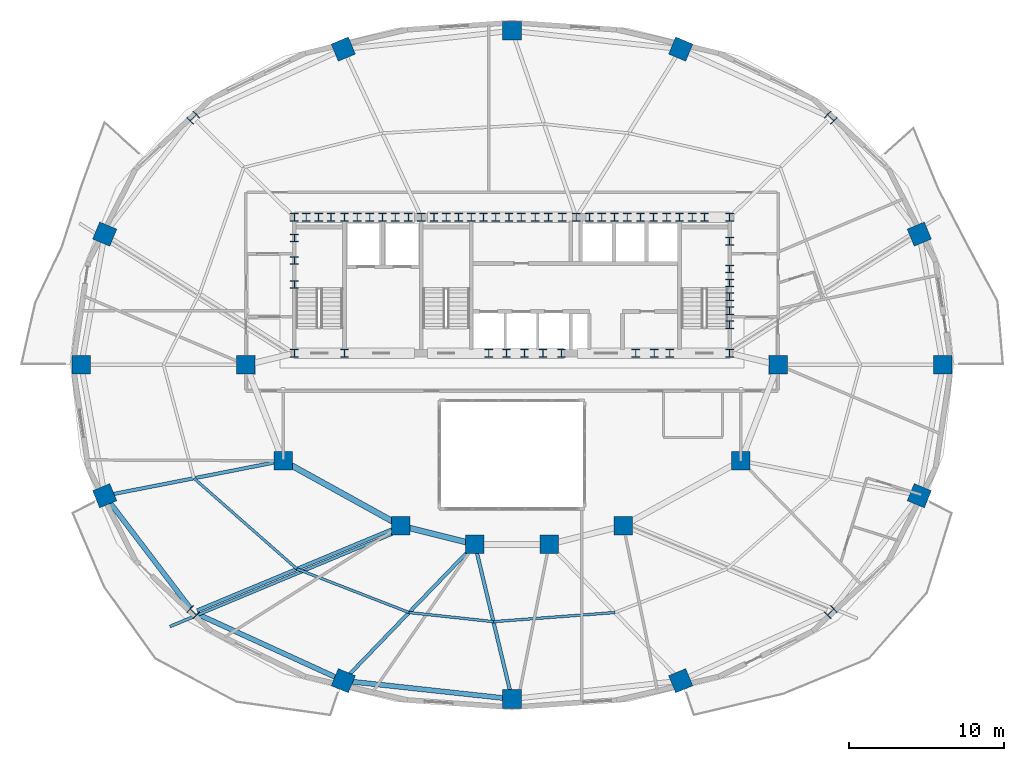
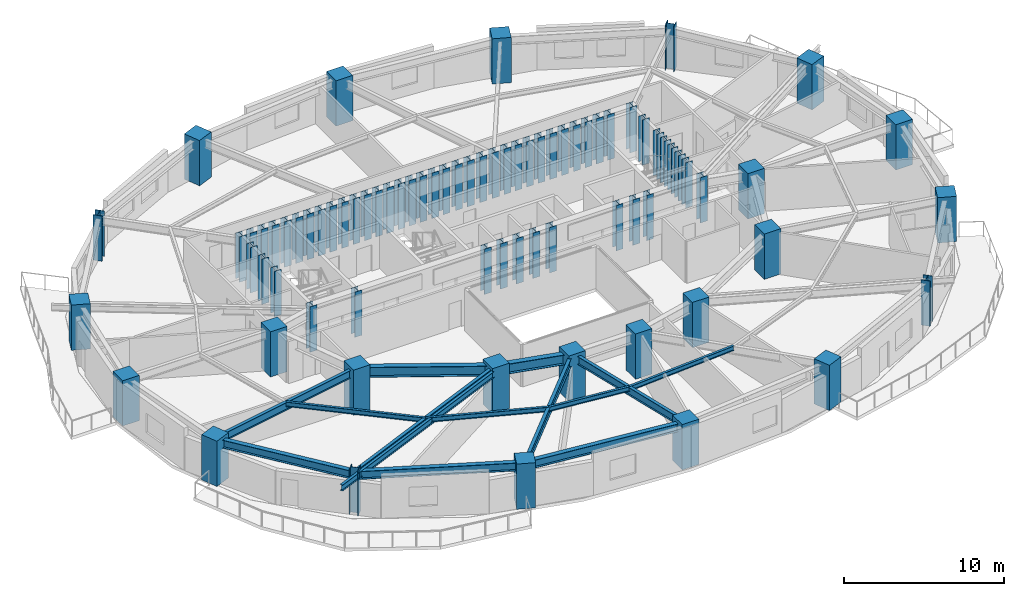
# One storey, part 1 of 12: 78 columns, 14 beams.
"""IFC4 building model written with IfcOpenShell, lengths in metres."""

import ifcopenshell
import ifcopenshell.guid

model = None  # the IFC model being written
_history = None  # IfcOwnerHistory: only IFC2X3 demands one
_inside = {}  # id of a spatial element -> (the spatial element, [elements in it])
_under = {}  # id of a project, library or spatial element -> (it, [spatial elements below it])
_declared = {}  # id of a project -> (the project, [libraries it declares])
_typed = {}  # id of a type object -> (the type object, [elements of that type])
_made_of = {}  # id of a material, layer set ... -> (it, [elements and type objects made of it])


def new_model(schema):
    """Start an empty IFC model of exactly this schema.

    Asked for "IFC4X3", IfcOpenShell would pick the latest addendum, in which some entities
    have other attributes; the version numbers below select the first issue.
    IFC2X3 requires an IfcOwnerHistory on every rooted entity: one is made here for all.
    """
    global model, _history
    if schema == "IFC4X3":
        model = ifcopenshell.file(schema_version=(4, 3, 0, 0))
    else:
        model = ifcopenshell.file(schema=schema)
    _inside.clear()
    _under.clear()
    _declared.clear()
    _typed.clear()
    _made_of.clear()
    _history = None
    if model.schema == "IFC2X3":
        org = make("IfcOrganization", Name="unknown")
        user = make(
            "IfcPersonAndOrganization",
            ThePerson=make("IfcPerson", FamilyName="unknown"),
            TheOrganization=org,
        )
        app = make(
            "IfcApplication",
            ApplicationDeveloper=org,
            Version="unknown",
            ApplicationFullName="unknown",
            ApplicationIdentifier="unknown",
        )
        _history = make(
            "IfcOwnerHistory",
            OwningUser=user,
            OwningApplication=app,
            ChangeAction="ADDED",
            CreationDate=0,
        )
    return model


def make(cls, **values):
    """One entity of the class cls with the attributes given. An attribute that is None is left unset."""
    return model.create_entity(
        cls, **{name: value for name, value in values.items() if value is not None}
    )


def rooted(cls, **values):
    """An entity with a GlobalId (a new one), such as an element, a storey or a relation."""
    return make(cls, GlobalId=ifcopenshell.guid.new(), OwnerHistory=_history, **values)


def si_unit(unit_type, name, prefix=None):
    """IfcSIUnit, for example si_unit("LENGTHUNIT", "METRE", prefix="MILLI")."""
    return make("IfcSIUnit", UnitType=unit_type, Prefix=prefix, Name=name)


def assignment(units):
    """IfcUnitAssignment: the units of a project."""
    return None if units is None else make("IfcUnitAssignment", Units=units)


def point(xyz):
    """IfcCartesianPoint."""
    return None if xyz is None else make("IfcCartesianPoint", Coordinates=xyz)


def direction(xyz):
    """IfcDirection."""
    return None if xyz is None else make("IfcDirection", DirectionRatios=xyz)


def frame(location, z_axis=None, x_axis=None):
    """IfcAxis2Placement3D, a coordinate frame: its origin and axes. An axis left out is left unset."""
    return make(
        "IfcAxis2Placement3D",
        Location=point(location),
        Axis=direction(z_axis),
        RefDirection=direction(x_axis),
    )


def frame_2d(location, x_axis=None):
    """IfcAxis2Placement2D, a coordinate frame in the plane: its origin and x axis."""
    return make(
        "IfcAxis2Placement2D", Location=point(location), RefDirection=direction(x_axis)
    )


def origin():
    """The frame at (0, 0, 0) with its axes left unset."""
    return frame((0.0, 0.0, 0.0))


def origin_2d():
    """The frame at (0, 0) in the plane with its x axis left unset."""
    return frame_2d((0.0, 0.0))


def place(relative_to, where):
    """IfcLocalPlacement: puts the frame where relative to a parent placement (None: the world)."""
    return make(
        "IfcLocalPlacement", PlacementRelTo=relative_to, RelativePlacement=where
    )


def context(
    kind, dimensions, precision=None, world=None, true_north=None, identifier=None
):
    """IfcGeometricRepresentationContext, for example the 3D "Model" context."""
    return make(
        "IfcGeometricRepresentationContext",
        ContextIdentifier=identifier,
        ContextType=kind,
        CoordinateSpaceDimension=dimensions,
        Precision=precision,
        WorldCoordinateSystem=world,
        TrueNorth=true_north,
    )


def subcontext(parent, identifier, kind, view, scale=None):
    """IfcGeometricRepresentationSubContext, for example "Body" below "Model"."""
    return make(
        "IfcGeometricRepresentationSubContext",
        ContextIdentifier=identifier,
        ContextType=kind,
        ParentContext=parent,
        TargetScale=scale,
        TargetView=view,
    )


def project(units=None, contexts=None):
    """IfcProject with its units and contexts."""
    return rooted(
        "IfcProject",
        Name="project",
        RepresentationContexts=contexts,
        UnitsInContext=assignment(units),
    )


def spatial(cls, under=None, at=None, **own):
    """A site, building, storey or space (cls), placed at a placement, below another one or the project."""
    s = rooted(cls, ObjectPlacement=at, **own)
    if under is not None:
        _under.setdefault(under.id(), (under, []))[1].append(s)
    return s


def profile(cls, at=None, kind="AREA", **sizes):
    """A parametric profile (cls). Its sizes go by their IFC names, for example OverallWidth=200.0."""
    return make(cls, ProfileType=kind, Position=at, **sizes)


def rectangle(**sizes):
    """IfcRectangleProfileDef."""
    return profile("IfcRectangleProfileDef", **sizes)


def i_section(**sizes):
    """IfcIShapeProfileDef."""
    return profile("IfcIShapeProfileDef", **sizes)


def extrude(swept, where, along, depth):
    """IfcExtrudedAreaSolid: the profile swept, set in the frame where, extruded along a direction by depth."""
    return make(
        "IfcExtrudedAreaSolid",
        SweptArea=swept,
        Position=where,
        ExtrudedDirection=direction(along),
        Depth=depth,
    )


def shape(context_of_items, identifier, shape_type, items):
    """IfcShapeRepresentation: the items that make up one representation, for example the "Body"."""
    return make(
        "IfcShapeRepresentation",
        ContextOfItems=context_of_items,
        RepresentationIdentifier=identifier,
        RepresentationType=shape_type,
        Items=items,
    )


def material(Name=None, Category=None):
    """IfcMaterial."""
    return make("IfcMaterial", Name=Name, Category=Category)


def material_profile(
    of_material, cross_section, Name=None, Category=None, Priority=None
):
    """IfcMaterialProfile: a cross section and its material."""
    return make(
        "IfcMaterialProfile",
        Name=Name,
        Material=of_material,
        Profile=cross_section,
        Priority=Priority,
        Category=Category,
    )


def profile_set(profiles, Name=None, composite=None):
    """IfcMaterialProfileSet."""
    return make(
        "IfcMaterialProfileSet",
        Name=Name,
        MaterialProfiles=profiles,
        CompositeProfile=composite,
    )


def made_of(thing, what):
    """Note that an element or type object is made of a material, layer set ...; save() writes the relation."""
    if what is not None:
        _made_of.setdefault(what.id(), (what, []))[1].append(thing)
    return thing


def type_object(cls, material=None, **own):
    """A type object (cls), such as IfcWallType, which elements share."""
    return made_of(rooted(cls, **own), material)


def element(
    cls,
    number,
    at=None,
    inside=None,
    cuts=None,
    type_object=None,
    material=None,
    context=None,
    identifier="Body",
    shape_type=None,
    held_by="IfcProductDefinitionShape",
    body=None,
    shapes=None,
    **own,
):
    """One element of the class cls, such as IfcWall. Its Tag is "e" and its number.

    at: its placement. inside: the storey or other place that contains it. cuts: it is an
    opening in that element (IfcRelVoidsElement). A single representation is given by context,
    identifier, shape_type and body (its items); several are given by shapes. held_by: the class
    of the entity that holds the representations. save() writes the other relations.
    """
    e = rooted(cls, Tag="e%d" % number, ObjectPlacement=at, **own)
    if body is not None:
        shapes = [shape(context, identifier, shape_type, body)]
    if shapes is not None:
        e.Representation = make(held_by, Representations=shapes)
    if inside is not None:
        _inside.setdefault(inside.id(), (inside, []))[1].append(e)
    if cuts is not None:
        rooted(
            "IfcRelVoidsElement", RelatingBuildingElement=cuts, RelatedOpeningElement=e
        )
    if type_object is not None:
        _typed.setdefault(type_object.id(), (type_object, []))[1].append(e)
    return made_of(e, material)


def aggregate(whole, parts):
    """IfcRelAggregates: a whole, such as a stair, and the parts it consists of."""
    return rooted("IfcRelAggregates", RelatingObject=whole, RelatedObjects=parts)


def save(model, path):
    """Write the relations noted so far, then the file.

    IfcRelAggregates (storeys below a building ...), IfcRelContainedInSpatialStructure (elements
    in a storey), IfcRelDefinesByType, IfcRelAssociatesMaterial and IfcRelDeclares: one each for
    every whole, place, type object, material and project.
    """
    for whole, parts in _under.values():
        aggregate(whole, parts)
    for where, things in _inside.values():
        rooted(
            "IfcRelContainedInSpatialStructure",
            RelatedElements=things,
            RelatingStructure=where,
        )
    for kind, things in _typed.values():
        rooted("IfcRelDefinesByType", RelatedObjects=things, RelatingType=kind)
    for what, things in _made_of.values():
        rooted("IfcRelAssociatesMaterial", RelatedObjects=things, RelatingMaterial=what)
    for by, libraries in _declared.values():
        rooted("IfcRelDeclares", RelatingContext=by, RelatedDefinitions=libraries)
    model.write(path)


model = new_model("IFC4")

# Units and contexts
model_context = context("Model", 3, precision=1e-05, world=origin(), true_north=direction((0.0, 1.0)))
body_context = subcontext(model_context, "Body", "Model", "MODEL_VIEW")
ifc_project = project(units=[si_unit("LENGTHUNIT", "METRE"), si_unit("AREAUNIT", "SQUARE_METRE"), si_unit("VOLUMEUNIT", "CUBIC_METRE"), si_unit("PLANEANGLEUNIT", "RADIAN"), si_unit("MASSUNIT", "GRAM", prefix="KILO")], contexts=[model_context])

# Site, building, storey
site_placement = place(None, origin())
site = spatial("IfcSite", under=ifc_project, at=site_placement, CompositionType="ELEMENT")
building_placement = place(site_placement, origin())
building = spatial("IfcBuilding", under=site, at=building_placement, Name="Haldorwick Loom Tower", CompositionType="ELEMENT")
storey_placement = place(building_placement, frame((0.0, 0.0, 117.35009765625)))
storey = spatial("IfcBuildingStorey", under=building, at=storey_placement, Name="L31", CompositionType="ELEMENT", Elevation=117.35009765625)

# Columns
ifc_material_1 = material(Name="Concrete C60 (60 MPa)", Category="concrete")
ifc_material_profile_1 = material_profile(ifc_material_1, rectangle(XDim=1.199951171875, YDim=1.199951171875, at=origin_2d()), Name="RC1200X1200", Category="concrete")
ifc_profile_set_1 = profile_set([ifc_material_profile_1], Name="Concrete C60 (60 MPa)")
column_type_1 = type_object("IfcColumnType", Name="STR-COL-RC1200", PredefinedType="COLUMN", material=ifc_profile_set_1)
for number, where, z_axis, x_axis, name in (
    (1, (53.199951171875, 26.0, 0.0), (0.0, 0.0, 1.0), (1.0, 0.0, 0.0), "L31 Inner Column IC-01"),
    (2, (50.800048828125, 19.800048828125, 0.0), (0.0, 0.0, 1.0), (1.0, 0.0, 0.0), "L31 Inner Column IC-02"),
    (3, (43.199951171875, 15.60009765625, 0.0), (0.0, 0.0, 1.0), (1.0, 0.0, 0.0), "L31 Inner Column IC-03"),
    (4, (38.39990234375, 14.39990234375, 0.0), (0.0, 0.0, 1.0), (1.0, 0.0, 0.0), "L31 Inner Column IC-04"),
    (5, (33.60009765625, 14.39990234375, 0.0), (0.0, 0.0, 1.0), (1.0, 0.0, 0.0), "L31 Inner Column IC-05"),
    (6, (28.800048828125, 15.60009765625, 0.0), (0.0, 0.0, 1.0), (1.0, 0.0, 0.0), "L31 Inner Column IC-06"),
    (7, (21.199951171875, 19.800048828125, 0.0), (0.0, 0.0, 1.0), (1.0, 0.0, 0.0), "L31 Inner Column IC-07"),
    (8, (18.800048828125, 26.0, 0.0), (0.0, 0.0, 1.0), (1.0, 0.0, 0.0), "L31 Inner Column IC-08"),
    (9, (63.857666015625, 26.0, 0.0), (0.0, 0.0, 1.0), (1.0, 0.0, 0.0), "L31 Perimeter Pier Column P01"),
    (10, (62.33056640625, 34.457275390625, 0.0), (0.0, 0.0, 1.0), (0.923879532511, 0.382683432365, 0.0), "L31 Perimeter Pier Column P02"),
    (11, (46.906494140625, 46.417724609375, 0.0), (0.0, 0.0, 1.0), (0.382683432365, 0.923879532511, 0.0), "L31 Perimeter Pier Column P04"),
    (12, (36.0, 47.598388671875, 0.0), (0.0, 0.0, 1.0), (0.0, 1.0, 0.0), "L31 Perimeter Pier Column P05"),
    (13, (25.093505859375, 46.417724609375, 0.0), (0.0, 0.0, 1.0), (-0.382683432365, 0.923879532511, 0.0), "L31 Perimeter Pier Column P06"),
    (14, (9.66943359375, 34.457275390625, 0.0), (0.0, 0.0, 1.0), (-0.923879532511, 0.382683432365, 0.0), "L31 Perimeter Pier Column P08"),
    (15, (8.142333984375, 26.0, 0.0), (0.0, 0.0, 1.0), (-1.0, 0.0, 0.0), "L31 Perimeter Pier Column P09"),
    (16, (9.66943359375, 17.542724609375, 0.0), (0.0, 0.0, 1.0), (-0.923879532511, -0.382683432365, 0.0), "L31 Perimeter Pier Column P10"),
    (17, (25.093505859375, 5.582275390625, 0.0), (0.0, 0.0, 1.0), (-0.382683432365, -0.923879532511, 0.0), "L31 Perimeter Pier Column P12"),
    (18, (36.0, 4.401611328125, 0.0), (0.0, 0.0, 1.0), (0.0, -1.0, 0.0), "L31 Perimeter Pier Column P13"),
    (19, (46.906494140625, 5.582275390625, 0.0), (0.0, 0.0, 1.0), (0.382683432365, -0.923879532511, 0.0), "L31 Perimeter Pier Column P14"),
    (20, (62.33056640625, 17.542724609375, 0.0), (0.0, 0.0, 1.0), (0.923879532511, -0.382683432365, 0.0), "L31 Perimeter Pier Column P16"),
):
    element("IfcColumn", number, at=place(storey_placement, frame(where, z_axis=z_axis, x_axis=x_axis)), inside=storey, type_object=column_type_1, Name=name, PredefinedType="COLUMN", context=body_context, shape_type="SweptSolid", body=[
        extrude(rectangle(XDim=1.199951171875, YDim=1.199951171875, at=origin_2d()), origin(), (0.0, 0.0, 1.0), 3.449951171875),
    ])
ifc_material_2 = material(Name="Steel CSA G40.21 350WT", Category="steel")
ifc_material_profile_2 = material_profile(ifc_material_2, i_section(OverallWidth=0.5, OverallDepth=0.5, WebThickness=0.02197265625, FlangeThickness=0.031982421875, at=origin_2d()), Name="WWF500X500", Category="steel")
ifc_profile_set_2 = profile_set([ifc_material_profile_2], Name="Steel CSA G40.21 350WT")
column_type_2 = type_object("IfcColumnType", Name="STR-COL-WWF500", PredefinedType="COLUMN", material=ifc_profile_set_2)
for number, where, z_axis, x_axis, name in (
    (21, (21.929931640625, 35.550048828125, 0.0), (0.0, 0.0, 1.0), (1.0, 0.0, 0.0), "L31 Core Pilaster CB-01"),
    (22, (23.5, 35.550048828125, 0.0), (0.0, 0.0, 1.0), (1.0, 0.0, 0.0), "L31 Core Pilaster CB-02"),
    (23, (25.169921875, 35.550048828125, 0.0), (0.0, 0.0, 1.0), (1.0, 0.0, 0.0), "L31 Core Pilaster CB-03"),
    (24, (26.800048828125, 35.550048828125, 0.0), (0.0, 0.0, 1.0), (1.0, 0.0, 0.0), "L31 Core Pilaster CB-04"),
    (25, (28.449951171875, 35.550048828125, 0.0), (0.0, 0.0, 1.0), (1.0, 0.0, 0.0), "L31 Core Pilaster CB-05"),
    (26, (30.1298828125, 35.550048828125, 0.0), (0.0, 0.0, 1.0), (1.0, 0.0, 0.0), "L31 Core Pilaster CB-06"),
    (27, (31.75, 35.550048828125, 0.0), (0.0, 0.0, 1.0), (1.0, 0.0, 0.0), "L31 Core Pilaster CB-07"),
    (28, (33.3701171875, 35.550048828125, 0.0), (0.0, 0.0, 1.0), (1.0, 0.0, 0.0), "L31 Core Pilaster CB-08"),
    (29, (34.949951171875, 35.550048828125, 0.0), (0.0, 0.0, 1.0), (1.0, 0.0, 0.0), "L31 Core Pilaster CB-09"),
    (30, (36.60009765625, 35.550048828125, 0.0), (0.0, 0.0, 1.0), (1.0, 0.0, 0.0), "L31 Core Pilaster CB-10"),
    (31, (38.35009765625, 35.550048828125, 0.0), (0.0, 0.0, 1.0), (1.0, 0.0, 0.0), "L31 Core Pilaster CB-11"),
    (32, (40.14990234375, 35.550048828125, 0.0), (0.0, 0.0, 1.0), (1.0, 0.0, 0.0), "L31 Core Pilaster CB-12"),
    (33, (41.800048828125, 35.550048828125, 0.0), (0.0, 0.0, 1.0), (1.0, 0.0, 0.0), "L31 Core Pilaster CB-13"),
    (34, (43.449951171875, 35.550048828125, 0.0), (0.0, 0.0, 1.0), (1.0, 0.0, 0.0), "L31 Core Pilaster CB-14"),
    (35, (45.14990234375, 35.550048828125, 0.0), (0.0, 0.0, 1.0), (1.0, 0.0, 0.0), "L31 Core Pilaster CB-15"),
    (36, (46.830078125, 35.550048828125, 0.0), (0.0, 0.0, 1.0), (1.0, 0.0, 0.0), "L31 Core Pilaster CB-16"),
    (37, (48.449951171875, 35.550048828125, 0.0), (0.0, 0.0, 1.0), (1.0, 0.0, 0.0), "L31 Core Pilaster CB-17"),
    (38, (50.070068359375, 35.550048828125, 0.0), (0.0, 0.0, 1.0), (1.0, 0.0, 0.0), "L31 Core Pilaster CB-18"),
    (39, (21.929931640625, 26.75, 0.0), (0.0, 0.0, 1.0), (1.0, 0.0, 0.0), "L31 Core Pilaster CB-19"),
    (40, (25.169921875, 26.75, 0.0), (0.0, 0.0, 1.0), (1.0, 0.0, 0.0), "L31 Core Pilaster CB-20"),
    (41, (34.5, 26.75, 0.0), (0.0, 0.0, 1.0), (1.0, 0.0, 0.0), "L31 Core Pilaster CB-21"),
    (42, (36.800048828125, 26.75, 0.0), (0.0, 0.0, 1.0), (1.0, 0.0, 0.0), "L31 Core Pilaster CB-22"),
    (43, (39.199951171875, 26.75, 0.0), (0.0, 0.0, 1.0), (1.0, 0.0, 0.0), "L31 Core Pilaster CB-23"),
    (44, (45.199951171875, 26.75, 0.0), (0.0, 0.0, 1.0), (1.0, 0.0, 0.0), "L31 Core Pilaster CB-24"),
    (45, (50.070068359375, 26.75, 0.0), (0.0, 0.0, 1.0), (1.0, 0.0, 0.0), "L31 Core Pilaster CB-25"),
    (46, (21.929931640625, 31.199951171875, 0.0), (0.0, 0.0, 1.0), (1.0, 0.0, 0.0), "L31 Core Pilaster CB-26"),
    (47, (21.929931640625, 32.75, 0.0), (0.0, 0.0, 1.0), (1.0, 0.0, 0.0), "L31 Core Pilaster CB-27"),
    (48, (21.929931640625, 34.199951171875, 0.0), (0.0, 0.0, 1.0), (1.0, 0.0, 0.0), "L31 Core Pilaster CB-28"),
    (49, (50.070068359375, 28.60009765625, 0.0), (0.0, 0.0, 1.0), (1.0, 0.0, 0.0), "L31 Core Pilaster CB-29"),
    (50, (50.070068359375, 30.39990234375, 0.0), (0.0, 0.0, 1.0), (1.0, 0.0, 0.0), "L31 Core Pilaster CB-30"),
    (51, (50.070068359375, 32.199951171875, 0.0), (0.0, 0.0, 1.0), (1.0, 0.0, 0.0), "L31 Core Pilaster CB-31"),
    (52, (50.070068359375, 34.0, 0.0), (0.0, 0.0, 1.0), (1.0, 0.0, 0.0), "L31 Core Pilaster CB-32"),
    (53, (22.699951171875, 35.550048828125, 0.0), (0.0, 0.0, 1.0), (1.0, 0.0, 0.0), "L31 Core Pilaster CB-33"),
    (54, (27.6201171875, 35.550048828125, 0.0), (0.0, 0.0, 1.0), (1.0, 0.0, 0.0), "L31 Core Pilaster CB-34"),
    (55, (32.550048828125, 35.550048828125, 0.0), (0.0, 0.0, 1.0), (1.0, 0.0, 0.0), "L31 Core Pilaster CB-35"),
    (56, (37.5, 35.550048828125, 0.0), (0.0, 0.0, 1.0), (1.0, 0.0, 0.0), "L31 Core Pilaster CB-36"),
    (57, (42.6201171875, 35.550048828125, 0.0), (0.0, 0.0, 1.0), (1.0, 0.0, 0.0), "L31 Core Pilaster CB-37"),
    (58, (47.64990234375, 35.550048828125, 0.0), (0.0, 0.0, 1.0), (1.0, 0.0, 0.0), "L31 Core Pilaster CB-38"),
    (59, (24.300048828125, 35.550048828125, 0.0), (0.0, 0.0, 1.0), (1.0, 0.0, 0.0), "L31 Core Pilaster CB-39"),
    (60, (26.0, 35.550048828125, 0.0), (0.0, 0.0, 1.0), (1.0, 0.0, 0.0), "L31 Core Pilaster CB-40"),
    (61, (29.300048828125, 35.550048828125, 0.0), (0.0, 0.0, 1.0), (1.0, 0.0, 0.0), "L31 Core Pilaster CB-41"),
    (62, (30.949951171875, 35.550048828125, 0.0), (0.0, 0.0, 1.0), (1.0, 0.0, 0.0), "L31 Core Pilaster CB-42"),
    (63, (34.14990234375, 35.550048828125, 0.0), (0.0, 0.0, 1.0), (1.0, 0.0, 0.0), "L31 Core Pilaster CB-43"),
    (64, (35.800048828125, 35.550048828125, 0.0), (0.0, 0.0, 1.0), (1.0, 0.0, 0.0), "L31 Core Pilaster CB-44"),
    (65, (39.25, 35.550048828125, 0.0), (0.0, 0.0, 1.0), (1.0, 0.0, 0.0), "L31 Core Pilaster CB-45"),
    (66, (41.0, 35.550048828125, 0.0), (0.0, 0.0, 1.0), (1.0, 0.0, 0.0), "L31 Core Pilaster CB-46"),
    (67, (44.300048828125, 35.550048828125, 0.0), (0.0, 0.0, 1.0), (1.0, 0.0, 0.0), "L31 Core Pilaster CB-47"),
    (68, (46.0, 35.550048828125, 0.0), (0.0, 0.0, 1.0), (1.0, 0.0, 0.0), "L31 Core Pilaster CB-48"),
    (69, (50.070068359375, 29.5, 0.0), (0.0, 0.0, 1.0), (1.0, 0.0, 0.0), "L31 Core Pilaster CB-49"),
    (70, (50.070068359375, 31.300048828125, 0.0), (0.0, 0.0, 1.0), (1.0, 0.0, 0.0), "L31 Core Pilaster CB-50"),
    (71, (35.64990234375, 26.75, 0.0), (0.0, 0.0, 1.0), (1.0, 0.0, 0.0), "L31 Core Pilaster CB-51"),
    (72, (38.0, 26.75, 0.0), (0.0, 0.0, 1.0), (1.0, 0.0, 0.0), "L31 Core Pilaster CB-52"),
    (73, (44.0, 26.75, 0.0), (0.0, 0.0, 1.0), (1.0, 0.0, 0.0), "L31 Core Pilaster CB-53"),
    (74, (46.199951171875, 26.75, 0.0), (0.0, 0.0, 1.0), (1.0, 0.0, 0.0), "L31 Core Pilaster CB-54"),
):
    element("IfcColumn", number, at=place(storey_placement, frame(where, z_axis=z_axis, x_axis=x_axis)), inside=storey, type_object=column_type_2, Name=name, PredefinedType="COLUMN", context=body_context, shape_type="SweptSolid", body=[
        extrude(i_section(OverallWidth=0.5, OverallDepth=0.5, WebThickness=0.02197265625, FlangeThickness=0.031982421875, at=origin_2d()), origin(), (0.0, 0.0, 1.0), 3.449951171875),
    ])
ifc_material_profile_3 = material_profile(ifc_material_2, i_section(OverallWidth=0.60009765625, OverallDepth=0.60009765625, WebThickness=0.02490234375, FlangeThickness=0.035888671875, at=origin_2d()), Name="WWF600X600", Category="steel")
ifc_profile_set_3 = profile_set([ifc_material_profile_3], Name="Steel CSA G40.21 350WT")
column_type_3 = type_object("IfcColumnType", Name="STR-COL-WWF600", PredefinedType="COLUMN", material=ifc_profile_set_3)
for number, where, z_axis, x_axis, name in (
    (75, (56.606689453125, 41.981689453125, 0.0), (0.0, 0.0, 1.0), (0.707106781187, 0.707106781187, 0.0), "L31 Perimeter Pier Column P03"),
    (76, (15.393310546875, 41.981689453125, 0.0), (0.0, 0.0, 1.0), (-0.707106781187, 0.707106781187, 0.0), "L31 Perimeter Pier Column P07"),
    (77, (15.393310546875, 10.018310546875, 0.0), (0.0, 0.0, 1.0), (-0.707106781187, -0.707106781187, 0.0), "L31 Perimeter Pier Column P11"),
    (78, (56.606689453125, 10.018310546875, 0.0), (0.0, 0.0, 1.0), (0.707106781187, -0.707106781187, 0.0), "L31 Perimeter Pier Column P15"),
):
    element("IfcColumn", number, at=place(storey_placement, frame(where, z_axis=z_axis, x_axis=x_axis)), inside=storey, type_object=column_type_3, Name=name, PredefinedType="COLUMN", context=body_context, shape_type="SweptSolid", body=[
        extrude(i_section(OverallWidth=0.60009765625, OverallDepth=0.60009765625, WebThickness=0.02490234375, FlangeThickness=0.035888671875, at=origin_2d()), origin(), (0.0, 0.0, 1.0), 3.449951171875),
    ])

# Beams
ifc_material_3 = material(Name="Steel CSA G40.21 350W", Category="steel")
ifc_material_profile_4 = material_profile(ifc_material_3, i_section(OverallWidth=0.193115234375, OverallDepth=0.466064453125, WebThickness=0.011474609375, FlangeThickness=0.01904296875, at=origin_2d()), Name="W460X97", Category="steel")
ifc_profile_set_4 = profile_set([ifc_material_profile_4], Name="Steel CSA G40.21 350W")
beam_type_1 = type_object("IfcBeamType", Name="STR-BM-BAL460", PredefinedType="BEAM", material=ifc_profile_set_4)
beam_1_placement = place(storey_placement, frame((28.427490234375, 15.1416015625, 2.976806640625), z_axis=(-0.923185561192, -0.38435454935, 0.0), x_axis=(0.38435454935, -0.923185561192, 0.0)))
element("IfcBeam", 79, at=beam_1_placement, inside=storey, type_object=beam_type_1, Name="L31 Continuous Back-Spanned Balcony Beam 2", PredefinedType="BEAM", context=body_context, shape_type="SweptSolid", body=[
    extrude(i_section(OverallWidth=0.193115234375, OverallDepth=0.466064453125, WebThickness=0.011474609375, FlangeThickness=0.01904296875, at=origin_2d()), origin(), (0.0, 0.0, 1.0), 15.752197265625),
])
ifc_material_profile_5 = material_profile(ifc_material_3, i_section(OverallWidth=0.172119140625, OverallDepth=0.35791015625, WebThickness=0.0078125, FlangeThickness=0.01318359375, at=origin_2d()), Name="W360X57", Category="steel")
ifc_profile_set_5 = profile_set([ifc_material_profile_5], Name="Steel CSA G40.21 350W")
beam_type_2 = type_object("IfcBeamType", Name="STR-BM-J360", PredefinedType="JOIST", material=ifc_profile_set_5)
beam_2_placement = place(storey_placement, frame((15.434814453125, 18.67138671875, 3.031005859375), z_axis=(0.750721157729, -0.660619212057, 0.0), x_axis=(0.660619212057, 0.750721157729, 0.0)))
element("IfcBeam", 80, at=beam_2_placement, inside=storey, type_object=beam_type_2, Name="L31 Mid-Bay Secondary Joist 10", PredefinedType="JOIST", context=body_context, shape_type="SweptSolid", body=[
    extrude(i_section(OverallWidth=0.172119140625, OverallDepth=0.35791015625, WebThickness=0.0078125, FlangeThickness=0.01318359375, at=origin_2d()), origin(), (0.0, 0.0, 1.0), 8.8740234375),
])
beam_3_placement = place(storey_placement, frame((22.0966796875, 12.80908203125, 3.031005859375), z_axis=(0.932072983051, -0.362270553959, 0.0), x_axis=(0.362270553959, 0.932072983051, 0.0)))
element("IfcBeam", 81, at=beam_3_placement, inside=storey, type_object=beam_type_2, Name="L31 Mid-Bay Secondary Joist 11", PredefinedType="JOIST", context=body_context, shape_type="SweptSolid", body=[
    extrude(i_section(OverallWidth=0.172119140625, OverallDepth=0.35791015625, WebThickness=0.0078125, FlangeThickness=0.01318359375, at=origin_2d()), origin(), (0.0, 0.0, 1.0), 7.7783203125),
])
beam_4_placement = place(storey_placement, frame((29.3466796875, 9.9912109375, 3.031005859375), z_axis=(0.994191869342, -0.107622148904, 0.0), x_axis=(0.107622148904, 0.994191869342, 0.0)))
element("IfcBeam", 82, at=beam_4_placement, inside=storey, type_object=beam_type_2, Name="L31 Mid-Bay Secondary Joist 12", PredefinedType="JOIST", context=body_context, shape_type="SweptSolid", body=[
    extrude(i_section(OverallWidth=0.172119140625, OverallDepth=0.35791015625, WebThickness=0.0078125, FlangeThickness=0.01318359375, at=origin_2d()), origin(), (0.0, 0.0, 1.0), 5.485107421875),
])
beam_5_placement = place(storey_placement, frame((34.800048828125, 9.40087890625, 3.031005859375), z_axis=(0.99718663731, 0.074958724439, 0.0), x_axis=(-0.074958724439, 0.99718663731, 0.0)))
element("IfcBeam", 83, at=beam_5_placement, inside=storey, type_object=beam_type_2, Name="L31 Mid-Bay Secondary Joist 13", PredefinedType="JOIST", context=body_context, shape_type="SweptSolid", body=[
    extrude(i_section(OverallWidth=0.172119140625, OverallDepth=0.35791015625, WebThickness=0.0078125, FlangeThickness=0.01318359375, at=origin_2d()), origin(), (0.0, 0.0, 1.0), 7.87548828125),
])
ifc_material_profile_6 = material_profile(ifc_material_3, i_section(OverallWidth=0.324951171875, OverallDepth=0.615966796875, WebThickness=0.013916015625, FlangeThickness=0.021484375, at=origin_2d()), Name="W610X174", Category="steel")
ifc_profile_set_6 = profile_set([ifc_material_profile_6], Name="Steel CSA G40.21 350W")
beam_type_3 = type_object("IfcBeamType", Name="STR-BM-SP610", PredefinedType="SPANDREL", material=ifc_profile_set_6)
beam_6_placement = place(storey_placement, frame((9.984130859375, 17.12890625, 2.90185546875), z_axis=(0.605453508047, -0.795880675475, 0.0), x_axis=(0.795880675475, 0.605453508047, 0.0)))
element("IfcBeam", 84, at=beam_6_placement, inside=storey, type_object=beam_type_3, Name="L31 Perimeter Spandrel 10", PredefinedType="SPANDREL", context=body_context, shape_type="SweptSolid", body=[
    extrude(i_section(OverallWidth=0.324951171875, OverallDepth=0.615966796875, WebThickness=0.013916015625, FlangeThickness=0.021484375, at=origin_2d()), origin(), (0.0, 0.0, 1.0), 8.6591796875),
])
beam_7_placement = place(storey_placement, frame((15.643310546875, 9.90380859375, 2.90185546875), z_axis=(0.909423969306, -0.415870225011, 0.0), x_axis=(0.415870225011, 0.909423969306, 0.0)))
element("IfcBeam", 85, at=beam_7_placement, inside=storey, type_object=beam_type_3, Name="L31 Perimeter Spandrel 11", PredefinedType="SPANDREL", context=body_context, shape_type="SweptSolid", body=[
    extrude(i_section(OverallWidth=0.324951171875, OverallDepth=0.615966796875, WebThickness=0.013916015625, FlangeThickness=0.021484375, at=origin_2d()), origin(), (0.0, 0.0, 1.0), 9.871337890625),
])
beam_8_placement = place(storey_placement, frame((25.610595703125, 5.5263671875, 2.90185546875), z_axis=(0.994190135627, -0.107638163409, 0.0), x_axis=(0.107638163409, 0.994190135627, 0.0)))
element("IfcBeam", 86, at=beam_8_placement, inside=storey, type_object=beam_type_3, Name="L31 Perimeter Spandrel 12", PredefinedType="SPANDREL", context=body_context, shape_type="SweptSolid", body=[
    extrude(i_section(OverallWidth=0.324951171875, OverallDepth=0.615966796875, WebThickness=0.013916015625, FlangeThickness=0.021484375, at=origin_2d()), origin(), (0.0, 0.0, 1.0), 9.929931640625),
])
ifc_material_profile_7 = material_profile(ifc_material_3, i_section(OverallWidth=0.22998046875, OverallDepth=0.616943359375, WebThickness=0.01318359375, FlangeThickness=0.022216796875, at=origin_2d()), Name="W610X140", Category="steel")
ifc_profile_set_7 = profile_set([ifc_material_profile_7], Name="Steel CSA G40.21 350W")
beam_type_4 = type_object("IfcBeamType", Name="STR-BM-W610B", PredefinedType="BEAM", material=ifc_profile_set_7)
beam_9_placement = place(storey_placement, frame((20.689697265625, 19.7001953125, 2.9013671875), z_axis=(-0.981369581426, -0.192129499692, 0.0), x_axis=(0.192129499692, -0.981369581426, 0.0)))
element("IfcBeam", 87, at=beam_9_placement, inside=storey, type_object=beam_type_4, Name="L31 Radial Floor Girder 10", PredefinedType="BEAM", context=body_context, shape_type="SweptSolid", body=[
    extrude(i_section(OverallWidth=0.22998046875, OverallDepth=0.616943359375, WebThickness=0.01318359375, FlangeThickness=0.022216796875, at=origin_2d()), origin(), (0.0, 0.0, 1.0), 10.70947265625),
])
beam_10_placement = place(storey_placement, frame((28.31982421875, 15.400146484375, 2.9013671875), z_axis=(-0.923183704764, -0.384359008297, 0.0), x_axis=(0.384359008297, -0.923183704764, 0.0)))
element("IfcBeam", 88, at=beam_10_placement, inside=storey, type_object=beam_type_4, Name="L31 Radial Floor Girder 11", PredefinedType="BEAM", context=body_context, shape_type="SweptSolid", body=[
    extrude(i_section(OverallWidth=0.22998046875, OverallDepth=0.616943359375, WebThickness=0.01318359375, FlangeThickness=0.022216796875, at=origin_2d()), origin(), (0.0, 0.0, 1.0), 13.72705078125),
])
beam_11_placement = place(storey_placement, frame((33.239013671875, 14.02587890625, 2.9013671875), z_axis=(-0.694287071595, -0.719698174387, 0.0), x_axis=(0.719698174387, -0.694287071595, 0.0)))
element("IfcBeam", 89, at=beam_11_placement, inside=storey, type_object=beam_type_4, Name="L31 Radial Floor Girder 12", PredefinedType="BEAM", context=body_context, shape_type="SweptSolid", body=[
    extrude(i_section(OverallWidth=0.22998046875, OverallDepth=0.616943359375, WebThickness=0.01318359375, FlangeThickness=0.022216796875, at=origin_2d()), origin(), (0.0, 0.0, 1.0), 11.212158203125),
])
beam_12_placement = place(storey_placement, frame((33.721435546875, 13.894287109375, 2.9013671875), z_axis=(0.233406920764, -0.972379148964, 0.0), x_axis=(0.972379148964, 0.233406920764, 0.0)))
element("IfcBeam", 90, at=beam_12_placement, inside=storey, type_object=beam_type_4, Name="L31 Radial Floor Girder 13", PredefinedType="BEAM", context=body_context, shape_type="SweptSolid", body=[
    extrude(i_section(OverallWidth=0.22998046875, OverallDepth=0.616943359375, WebThickness=0.01318359375, FlangeThickness=0.022216796875, at=origin_2d()), origin(), (0.0, 0.0, 1.0), 9.242431640625),
])
ifc_material_profile_8 = material_profile(ifc_material_3, i_section(OverallWidth=0.381103515625, OverallDepth=0.77294921875, WebThickness=0.0166015625, FlangeThickness=0.027587890625, at=origin_2d()), Name="W760X257", Category="steel")
ifc_profile_set_8 = profile_set([ifc_material_profile_8], Name="Steel CSA G40.21 350W")
beam_type_5 = type_object("IfcBeamType", Name="STR-BM-W760", PredefinedType="BEAM", material=ifc_profile_set_8)
beam_13_placement = place(storey_placement, frame((33.095458984375, 14.526123046875, 2.823486328125), z_axis=(-0.970142500145, 0.242535625036, 0.0), x_axis=(-0.242535625036, -0.970142500145, 0.0)))
element("IfcBeam", 91, at=beam_13_placement, inside=storey, type_object=beam_type_5, Name="L31 Inner Ring Girder 6", PredefinedType="BEAM", context=body_context, shape_type="SweptSolid", body=[
    extrude(i_section(OverallWidth=0.381103515625, OverallDepth=0.77294921875, WebThickness=0.0166015625, FlangeThickness=0.027587890625, at=origin_2d()), origin(), (0.0, 0.0, 1.0), 3.90771484375),
])
beam_14_placement = place(storey_placement, frame((28.344970703125, 15.8515625, 2.823486328125), z_axis=(-0.875244382146, 0.483680960471, 0.0), x_axis=(-0.483680960471, -0.875244382146, 0.0)))
element("IfcBeam", 92, at=beam_14_placement, inside=storey, type_object=beam_type_5, Name="L31 Inner Ring Girder 7", PredefinedType="BEAM", context=body_context, shape_type="SweptSolid", body=[
    extrude(i_section(OverallWidth=0.381103515625, OverallDepth=0.77294921875, WebThickness=0.0166015625, FlangeThickness=0.027587890625, at=origin_2d()), origin(), (0.0, 0.0, 1.0), 7.6435546875),
])

save(model, "model.ifc")
